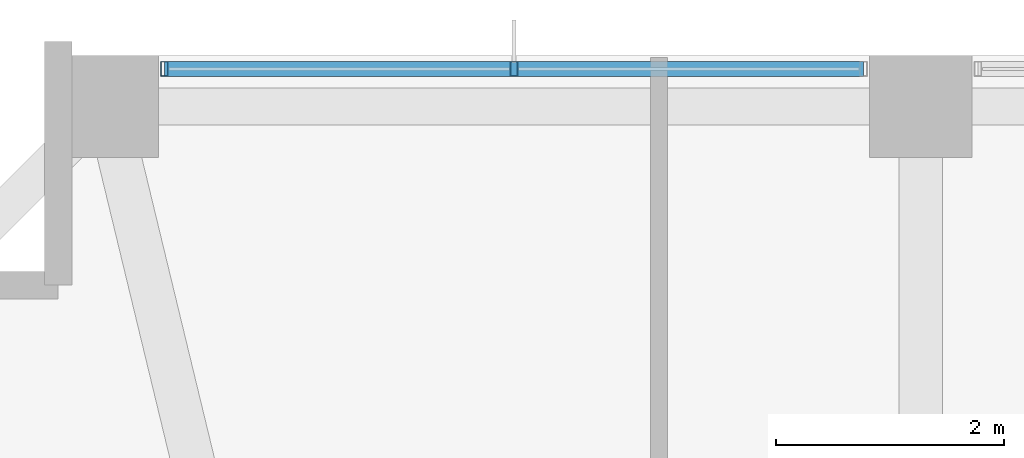
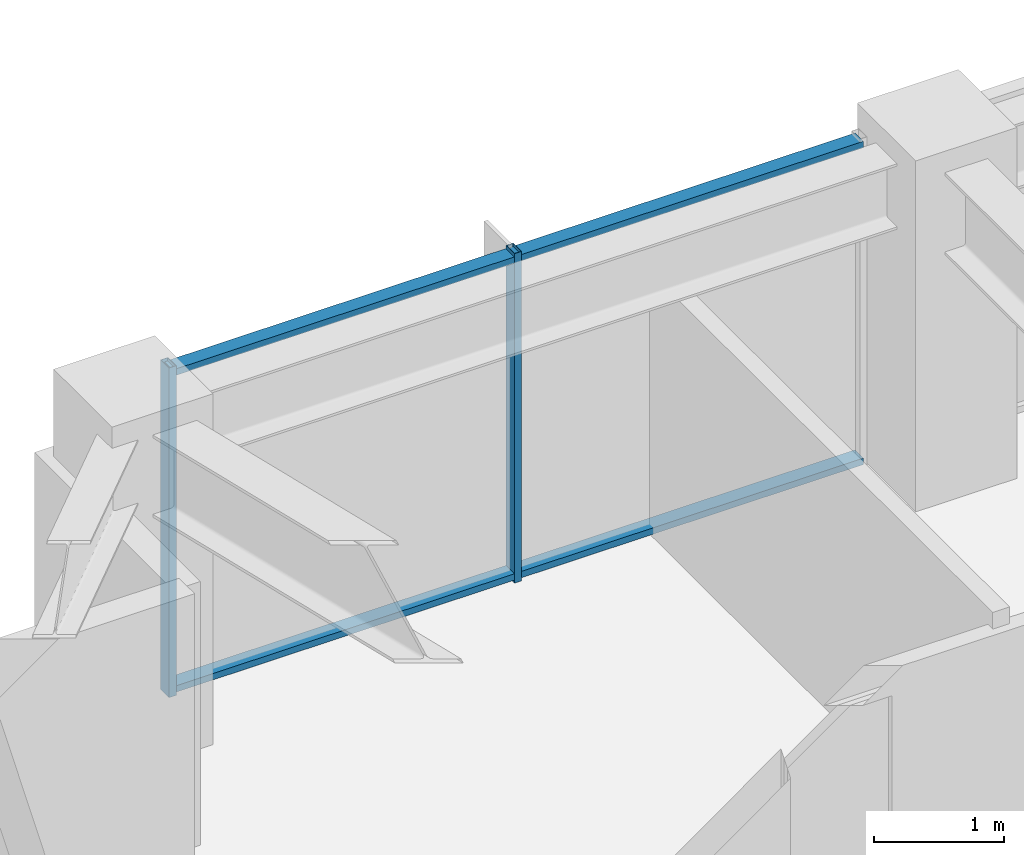
# One storey, part 19 of 33: 4 members, 1 element without a shape of its own.
"""IFC4 building model written with IfcOpenShell, lengths in metres."""

from ifc_helpers import new_model, si_unit, direction, frame, origin, origin_2d, place, context, subcontext, project, spatial, hollow_rectangle, extrude, material, material_profile, profile_set, type_object, element, aggregate, save


model = new_model("IFC4")

# Units and contexts
model_context = context("Model", 3, precision=1e-05, world=origin(), true_north=direction((0.0, 1.0)))
body_context = subcontext(model_context, "Body", "Model", "MODEL_VIEW")
ifc_project = project(units=[si_unit("LENGTHUNIT", "METRE"), si_unit("AREAUNIT", "SQUARE_METRE"), si_unit("VOLUMEUNIT", "CUBIC_METRE"), si_unit("PLANEANGLEUNIT", "RADIAN"), si_unit("MASSUNIT", "GRAM", prefix="KILO")], contexts=[model_context])

# Site, building, storey
site_placement = place(None, origin())
site = spatial("IfcSite", under=ifc_project, at=site_placement, CompositionType="ELEMENT")
building_placement = place(site_placement, origin())
building = spatial("IfcBuilding", under=site, at=building_placement, Name="Kolvaren Belvedere", CompositionType="ELEMENT")
storey_placement = place(building_placement, frame((0.0, 0.0, 128.300048828125)))
storey = spatial("IfcBuildingStorey", under=building, at=storey_placement, Name="L37", CompositionType="ELEMENT", Elevation=128.300048828125)

# Curtain wall, members
ifc_material_1 = material(Name="Anodised pale-metal aluminium AA 6063-T6", Category="aluminium")
curtain_wall_type = type_object("IfcCurtainWallType", Name="CW-Z3-WAIST", PredefinedType="NOTDEFINED", material=ifc_material_1)
curtain_wall_placement = place(storey_placement, origin())
curtain_wall = element("IfcCurtainWall", 1, at=curtain_wall_placement, inside=storey, type_object=curtain_wall_type, Name="L37 Unitised Curtain Wall FCW-L37-N-B1", PredefinedType="NOTDEFINED")
ifc_material_2 = material(Name="Anodised pale-metal aluminium AA 6063-T6", Category="aluminium")
ifc_material_profile_1 = material_profile(ifc_material_2, hollow_rectangle(XDim=0.06494140625, YDim=0.1298828125, WallThickness=0.00390625, at=origin_2d()), Name="ALU-MUL-130X65")
ifc_profile_set_1 = profile_set([ifc_material_profile_1], Name="Anodised pale-metal aluminium AA 6063-T6")
member_type_1 = type_object("IfcMemberType", Name="CW-MUL-130", PredefinedType="MULLION", material=ifc_profile_set_1)
member_1_placement = place(storey_placement, frame((-11.24755859375, 17.8798828125, 0.0), z_axis=(0.0, 0.0, 1.0), x_axis=(1.0, 0.0, 0.0)))
member_1 = element("IfcMember", 2, at=member_1_placement, type_object=member_type_1, Name="FCW-L37-N-B1 Unitised Mullion 1", PredefinedType="MULLION", context=body_context, shape_type="SweptSolid", body=[
    extrude(hollow_rectangle(XDim=0.06494140625, YDim=0.1298828125, WallThickness=0.00390625, at=origin_2d()), origin(), (0.0, 0.0, 1.0), 3.099853515625),
])
member_2_placement = place(storey_placement, frame((-8.175048828125, 17.8798828125, 0.0), z_axis=(0.0, 0.0, 1.0), x_axis=(1.0, 0.0, 0.0)))
member_2 = element("IfcMember", 3, at=member_2_placement, type_object=member_type_1, Name="FCW-L37-N-B1 Unitised Mullion 2", PredefinedType="MULLION", context=body_context, shape_type="SweptSolid", body=[
    extrude(hollow_rectangle(XDim=0.06494140625, YDim=0.1298828125, WallThickness=0.00390625, at=origin_2d()), origin(), (0.0, 0.0, 1.0), 3.099853515625),
])
ifc_material_3 = material(Name="Anodised pale-metal aluminium AA 6063-T6", Category="aluminium")
ifc_material_profile_2 = material_profile(ifc_material_3, hollow_rectangle(XDim=0.06005859375, YDim=0.1298828125, WallThickness=0.00390625, at=origin_2d()), Name="ALU-TRN-130X60")
ifc_profile_set_2 = profile_set([ifc_material_profile_2], Name="Anodised pale-metal aluminium AA 6063-T6")
member_type_2 = type_object("IfcMemberType", Name="CW-TRN-130", PredefinedType="USERDEFINED", material=ifc_profile_set_2)
member_3_placement = place(storey_placement, frame((-11.24755859375, 17.8798828125, 0.06005859375), z_axis=(1.0, 0.0, 0.0), x_axis=(0.0, 0.0, 1.0)))
member_3 = element("IfcMember", 4, at=member_3_placement, type_object=member_type_2, Name="FCW-L37-N-B1 Sill Transom", ObjectType="TRANSOM", PredefinedType="USERDEFINED", context=body_context, shape_type="SweptSolid", body=[
    extrude(hollow_rectangle(XDim=0.06005859375, YDim=0.1298828125, WallThickness=0.00390625, at=origin_2d()), origin(), (0.0, 0.0, 1.0), 6.14501953125),
])
member_4_placement = place(storey_placement, frame((-11.24755859375, 17.8798828125, 3.0400390625), z_axis=(1.0, 0.0, 0.0), x_axis=(0.0, 0.0, 1.0)))
member_4 = element("IfcMember", 5, at=member_4_placement, type_object=member_type_2, Name="FCW-L37-N-B1 Head Transom", ObjectType="TRANSOM", PredefinedType="USERDEFINED", context=body_context, shape_type="SweptSolid", body=[
    extrude(hollow_rectangle(XDim=0.06005859375, YDim=0.1298828125, WallThickness=0.00390625, at=origin_2d()), origin(), (0.0, 0.0, 1.0), 6.14501953125),
])
aggregate(curtain_wall, [member_1, member_2, member_3, member_4])

save(model, "model.ifc")
